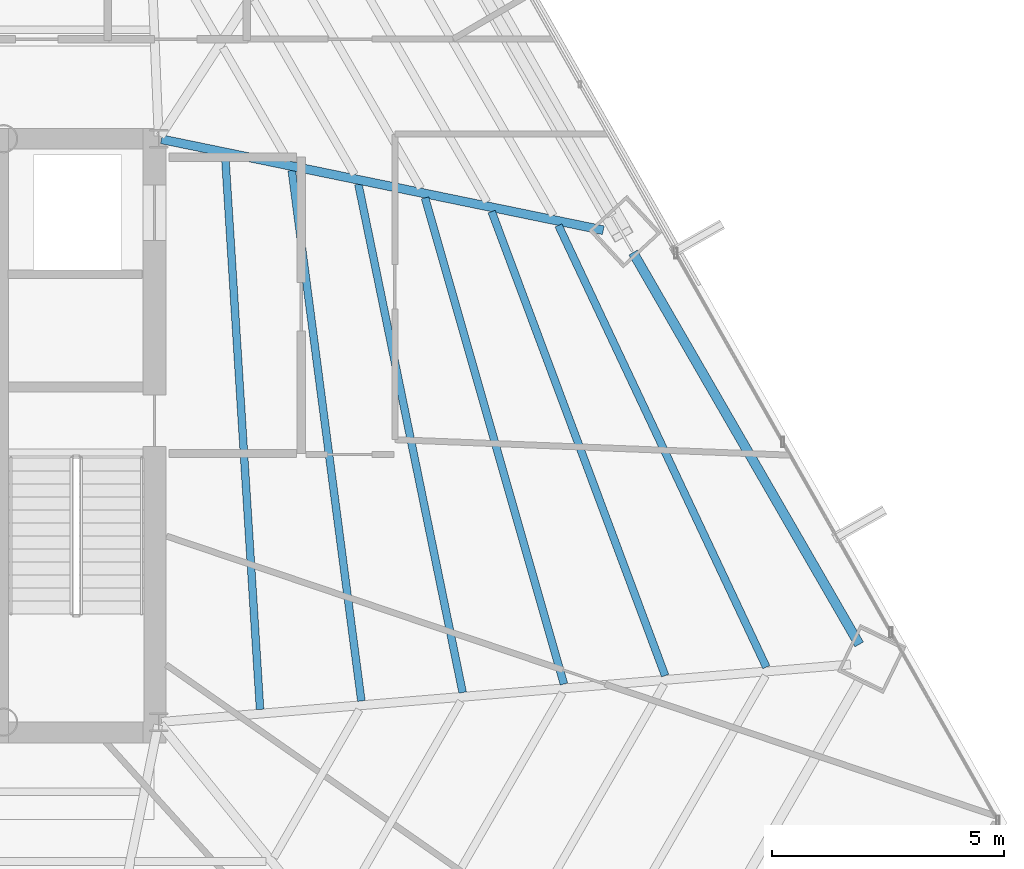
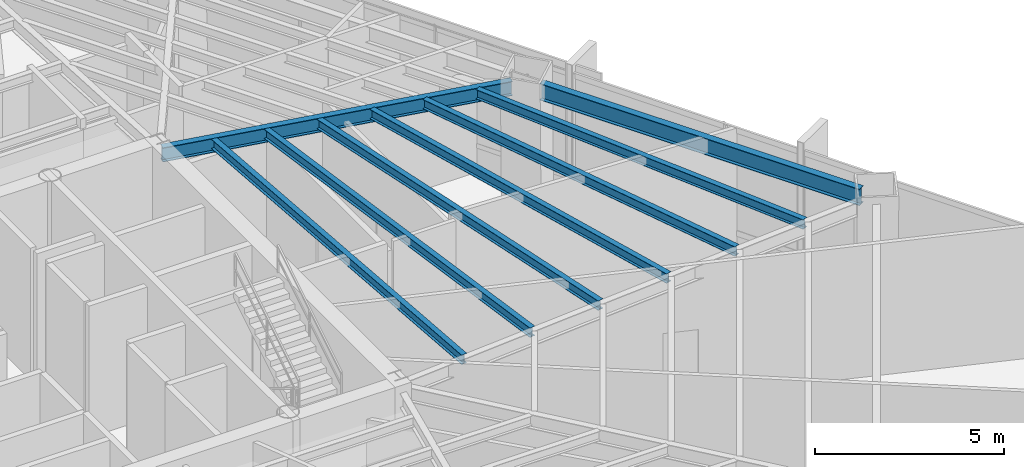
# One storey, part 19 of 37: 8 beams.
"""IFC4 building model written with IfcOpenShell, lengths in metres."""

import ifcopenshell
import ifcopenshell.guid

model = None  # the IFC model being written
_history = None  # IfcOwnerHistory: only IFC2X3 demands one
_inside = {}  # id of a spatial element -> (the spatial element, [elements in it])
_under = {}  # id of a project, library or spatial element -> (it, [spatial elements below it])
_declared = {}  # id of a project -> (the project, [libraries it declares])
_typed = {}  # id of a type object -> (the type object, [elements of that type])
_made_of = {}  # id of a material, layer set ... -> (it, [elements and type objects made of it])


def new_model(schema):
    """Start an empty IFC model of exactly this schema.

    Asked for "IFC4X3", IfcOpenShell would pick the latest addendum, in which some entities
    have other attributes; the version numbers below select the first issue.
    IFC2X3 requires an IfcOwnerHistory on every rooted entity: one is made here for all.
    """
    global model, _history
    if schema == "IFC4X3":
        model = ifcopenshell.file(schema_version=(4, 3, 0, 0))
    else:
        model = ifcopenshell.file(schema=schema)
    _inside.clear()
    _under.clear()
    _declared.clear()
    _typed.clear()
    _made_of.clear()
    _history = None
    if model.schema == "IFC2X3":
        org = make("IfcOrganization", Name="unknown")
        user = make(
            "IfcPersonAndOrganization",
            ThePerson=make("IfcPerson", FamilyName="unknown"),
            TheOrganization=org,
        )
        app = make(
            "IfcApplication",
            ApplicationDeveloper=org,
            Version="unknown",
            ApplicationFullName="unknown",
            ApplicationIdentifier="unknown",
        )
        _history = make(
            "IfcOwnerHistory",
            OwningUser=user,
            OwningApplication=app,
            ChangeAction="ADDED",
            CreationDate=0,
        )
    return model


def make(cls, **values):
    """One entity of the class cls with the attributes given. An attribute that is None is left unset."""
    return model.create_entity(
        cls, **{name: value for name, value in values.items() if value is not None}
    )


def rooted(cls, **values):
    """An entity with a GlobalId (a new one), such as an element, a storey or a relation."""
    return make(cls, GlobalId=ifcopenshell.guid.new(), OwnerHistory=_history, **values)


def si_unit(unit_type, name, prefix=None):
    """IfcSIUnit, for example si_unit("LENGTHUNIT", "METRE", prefix="MILLI")."""
    return make("IfcSIUnit", UnitType=unit_type, Prefix=prefix, Name=name)


def assignment(units):
    """IfcUnitAssignment: the units of a project."""
    return None if units is None else make("IfcUnitAssignment", Units=units)


def point(xyz):
    """IfcCartesianPoint."""
    return None if xyz is None else make("IfcCartesianPoint", Coordinates=xyz)


def direction(xyz):
    """IfcDirection."""
    return None if xyz is None else make("IfcDirection", DirectionRatios=xyz)


def frame(location, z_axis=None, x_axis=None):
    """IfcAxis2Placement3D, a coordinate frame: its origin and axes. An axis left out is left unset."""
    return make(
        "IfcAxis2Placement3D",
        Location=point(location),
        Axis=direction(z_axis),
        RefDirection=direction(x_axis),
    )


def frame_2d(location, x_axis=None):
    """IfcAxis2Placement2D, a coordinate frame in the plane: its origin and x axis."""
    return make(
        "IfcAxis2Placement2D", Location=point(location), RefDirection=direction(x_axis)
    )


def origin():
    """The frame at (0, 0, 0) with its axes left unset."""
    return frame((0.0, 0.0, 0.0))


def origin_2d():
    """The frame at (0, 0) in the plane with its x axis left unset."""
    return frame_2d((0.0, 0.0))


def place(relative_to, where):
    """IfcLocalPlacement: puts the frame where relative to a parent placement (None: the world)."""
    return make(
        "IfcLocalPlacement", PlacementRelTo=relative_to, RelativePlacement=where
    )


def context(
    kind, dimensions, precision=None, world=None, true_north=None, identifier=None
):
    """IfcGeometricRepresentationContext, for example the 3D "Model" context."""
    return make(
        "IfcGeometricRepresentationContext",
        ContextIdentifier=identifier,
        ContextType=kind,
        CoordinateSpaceDimension=dimensions,
        Precision=precision,
        WorldCoordinateSystem=world,
        TrueNorth=true_north,
    )


def subcontext(parent, identifier, kind, view, scale=None):
    """IfcGeometricRepresentationSubContext, for example "Body" below "Model"."""
    return make(
        "IfcGeometricRepresentationSubContext",
        ContextIdentifier=identifier,
        ContextType=kind,
        ParentContext=parent,
        TargetScale=scale,
        TargetView=view,
    )


def project(units=None, contexts=None):
    """IfcProject with its units and contexts."""
    return rooted(
        "IfcProject",
        Name="project",
        RepresentationContexts=contexts,
        UnitsInContext=assignment(units),
    )


def spatial(cls, under=None, at=None, **own):
    """A site, building, storey or space (cls), placed at a placement, below another one or the project."""
    s = rooted(cls, ObjectPlacement=at, **own)
    if under is not None:
        _under.setdefault(under.id(), (under, []))[1].append(s)
    return s


def profile(cls, at=None, kind="AREA", **sizes):
    """A parametric profile (cls). Its sizes go by their IFC names, for example OverallWidth=200.0."""
    return make(cls, ProfileType=kind, Position=at, **sizes)


def i_section(**sizes):
    """IfcIShapeProfileDef."""
    return profile("IfcIShapeProfileDef", **sizes)


def extrude(swept, where, along, depth):
    """IfcExtrudedAreaSolid: the profile swept, set in the frame where, extruded along a direction by depth."""
    return make(
        "IfcExtrudedAreaSolid",
        SweptArea=swept,
        Position=where,
        ExtrudedDirection=direction(along),
        Depth=depth,
    )


def shape(context_of_items, identifier, shape_type, items):
    """IfcShapeRepresentation: the items that make up one representation, for example the "Body"."""
    return make(
        "IfcShapeRepresentation",
        ContextOfItems=context_of_items,
        RepresentationIdentifier=identifier,
        RepresentationType=shape_type,
        Items=items,
    )


def source(mapping_origin, context_of_items, identifier, shape_type, items):
    """IfcRepresentationMap: a shape defined once, which mapped items show again and again."""
    return make(
        "IfcRepresentationMap",
        MappingOrigin=mapping_origin,
        MappedRepresentation=shape(context_of_items, identifier, shape_type, items),
    )


def transform(
    local_origin,
    x_axis=None,
    y_axis=None,
    z_axis=None,
    scale=None,
    scale2=None,
    scale3=None,
    uniform=True,
):
    """IfcCartesianTransformationOperator3D, or its non-uniform kind. x_axis, y_axis, z_axis: its Axis1, 2, 3."""
    if uniform:
        return make(
            "IfcCartesianTransformationOperator3D",
            Axis1=direction(x_axis),
            Axis2=direction(y_axis),
            LocalOrigin=point(local_origin),
            Scale=scale,
            Axis3=direction(z_axis),
        )
    return make(
        "IfcCartesianTransformationOperator3DnonUniform",
        Axis1=direction(x_axis),
        Axis2=direction(y_axis),
        LocalOrigin=point(local_origin),
        Scale=scale,
        Axis3=direction(z_axis),
        Scale2=scale2,
        Scale3=scale3,
    )


def mapped(mapping_source, mapping_target):
    """IfcMappedItem: shows the shape of a source again, moved by a transform."""
    return make(
        "IfcMappedItem", MappingSource=mapping_source, MappingTarget=mapping_target
    )


def material(Name=None, Category=None):
    """IfcMaterial."""
    return make("IfcMaterial", Name=Name, Category=Category)


def material_profile(
    of_material, cross_section, Name=None, Category=None, Priority=None
):
    """IfcMaterialProfile: a cross section and its material."""
    return make(
        "IfcMaterialProfile",
        Name=Name,
        Material=of_material,
        Profile=cross_section,
        Priority=Priority,
        Category=Category,
    )


def profile_set(profiles, Name=None, composite=None):
    """IfcMaterialProfileSet."""
    return make(
        "IfcMaterialProfileSet",
        Name=Name,
        MaterialProfiles=profiles,
        CompositeProfile=composite,
    )


def made_of(thing, what):
    """Note that an element or type object is made of a material, layer set ...; save() writes the relation."""
    if what is not None:
        _made_of.setdefault(what.id(), (what, []))[1].append(thing)
    return thing


def type_object(cls, material=None, **own):
    """A type object (cls), such as IfcWallType, which elements share."""
    return made_of(rooted(cls, **own), material)


def type_shapes(of_type, sources):
    """Give a type object the sources (RepresentationMaps) that its elements show as mapped items."""
    of_type.RepresentationMaps = sources


def element(
    cls,
    number,
    at=None,
    inside=None,
    cuts=None,
    type_object=None,
    material=None,
    context=None,
    identifier="Body",
    shape_type=None,
    held_by="IfcProductDefinitionShape",
    body=None,
    shapes=None,
    **own,
):
    """One element of the class cls, such as IfcWall. Its Tag is "e" and its number.

    at: its placement. inside: the storey or other place that contains it. cuts: it is an
    opening in that element (IfcRelVoidsElement). A single representation is given by context,
    identifier, shape_type and body (its items); several are given by shapes. held_by: the class
    of the entity that holds the representations. save() writes the other relations.
    """
    e = rooted(cls, Tag="e%d" % number, ObjectPlacement=at, **own)
    if body is not None:
        shapes = [shape(context, identifier, shape_type, body)]
    if shapes is not None:
        e.Representation = make(held_by, Representations=shapes)
    if inside is not None:
        _inside.setdefault(inside.id(), (inside, []))[1].append(e)
    if cuts is not None:
        rooted(
            "IfcRelVoidsElement", RelatingBuildingElement=cuts, RelatedOpeningElement=e
        )
    if type_object is not None:
        _typed.setdefault(type_object.id(), (type_object, []))[1].append(e)
    return made_of(e, material)


def aggregate(whole, parts):
    """IfcRelAggregates: a whole, such as a stair, and the parts it consists of."""
    return rooted("IfcRelAggregates", RelatingObject=whole, RelatedObjects=parts)


def save(model, path):
    """Write the relations noted so far, then the file.

    IfcRelAggregates (storeys below a building ...), IfcRelContainedInSpatialStructure (elements
    in a storey), IfcRelDefinesByType, IfcRelAssociatesMaterial and IfcRelDeclares: one each for
    every whole, place, type object, material and project.
    """
    for whole, parts in _under.values():
        aggregate(whole, parts)
    for where, things in _inside.values():
        rooted(
            "IfcRelContainedInSpatialStructure",
            RelatedElements=things,
            RelatingStructure=where,
        )
    for kind, things in _typed.values():
        rooted("IfcRelDefinesByType", RelatedObjects=things, RelatingType=kind)
    for what, things in _made_of.values():
        rooted("IfcRelAssociatesMaterial", RelatedObjects=things, RelatingMaterial=what)
    for by, libraries in _declared.values():
        rooted("IfcRelDeclares", RelatingContext=by, RelatedDefinitions=libraries)
    model.write(path)


model = new_model("IFC4")

# Units and contexts
model_context = context("Model", 3, precision=1e-05, world=origin(), true_north=direction((0.0, 1.0)))
body_context = subcontext(model_context, "Body", "Model", "MODEL_VIEW")
ifc_project = project(units=[si_unit("LENGTHUNIT", "METRE"), si_unit("AREAUNIT", "SQUARE_METRE"), si_unit("VOLUMEUNIT", "CUBIC_METRE"), si_unit("PLANEANGLEUNIT", "RADIAN"), si_unit("MASSUNIT", "GRAM", prefix="KILO")], contexts=[model_context])

# Site, building, storey
site_placement = place(None, origin())
site = spatial("IfcSite", under=ifc_project, at=site_placement, CompositionType="ELEMENT")
building_placement = place(site_placement, origin())
building = spatial("IfcBuilding", under=site, at=building_placement, Name="Caelisora Broadcast Tower", CompositionType="ELEMENT")
storey_placement = place(building_placement, frame((0.0, 0.0, 127.300048828125)))
storey = spatial("IfcBuildingStorey", under=building, at=storey_placement, Name="L33", CompositionType="ELEMENT", Elevation=127.300048828125)

# Beams
ifc_material = material(Name="Steel Grade 350 (AS/NZS 3679.1)", Category="steel")
ifc_material_profile_1 = material_profile(ifc_material, i_section(OverallWidth=0.208984375, OverallDepth=0.532958984375, WebThickness=0.01025390625, FlangeThickness=0.015625, at=origin_2d()), Name="Steel Grade 350 (AS/NZS 3679.1)")
ifc_profile_set_1 = profile_set([ifc_material_profile_1], Name="Steel Grade 350 (AS/NZS 3679.1)")
beam_type_1 = type_object("IfcBeamType", Name="PG05", PredefinedType="BEAM", material=ifc_profile_set_1)
shared_shape_1 = source(origin(), body_context, "Body", "SweptSolid", [
    extrude(i_section(OverallWidth=0.208984375, OverallDepth=0.532958984375, WebThickness=0.01025390625, FlangeThickness=0.015625, at=origin_2d()), origin(), (0.0, 0.0, 1.0), 9.7705078125),
])
type_shapes(beam_type_1, [shared_shape_1])
beam_1_placement = place(storey_placement, frame((60.628173828125, 19.0791015625, 3.9833984375), z_axis=(-0.500003642646, 0.866023300691, 0.0), x_axis=(-0.866023300691, -0.500003642646, 0.0)))
element("IfcBeam", 1, at=beam_1_placement, inside=storey, type_object=beam_type_1, Name="L33 beam PG05", PredefinedType="BEAM", context=body_context, shape_type="MappedRepresentation", body=[
    mapped(shared_shape_1, transform((0.0, 0.0, 0.0), scale=1.0)),
])
ifc_material_profile_2 = material_profile(ifc_material, i_section(OverallWidth=0.19091796875, OverallDepth=0.46044921875, WebThickness=0.010009765625, FlangeThickness=0.01611328125, at=origin_2d()), Name="Steel Grade 350 (AS/NZS 3679.1)")
ifc_profile_set_2 = profile_set([ifc_material_profile_2], Name="Steel Grade 350 (AS/NZS 3679.1)")
beam_type_2 = type_object("IfcBeamType", Name="PG06", PredefinedType="BEAM", material=ifc_profile_set_2)
shared_shape_2 = source(origin(), body_context, "Body", "SweptSolid", [
    extrude(i_section(OverallWidth=0.19091796875, OverallDepth=0.46044921875, WebThickness=0.010009765625, FlangeThickness=0.01611328125, at=origin_2d()), origin(), (0.0, 0.0, 1.0), 9.74267578125),
])
type_shapes(beam_type_2, [shared_shape_2])
beam_2_placement = place(storey_placement, frame((45.558837890625, 29.98779296875, 4.019775390625), z_axis=(0.979468541621, -0.201597063406, 0.0), x_axis=(0.201597063406, 0.979468541621, 0.0)))
element("IfcBeam", 2, at=beam_2_placement, inside=storey, type_object=beam_type_2, Name="L33 beam PG06", PredefinedType="BEAM", context=body_context, shape_type="MappedRepresentation", body=[
    mapped(shared_shape_2, transform((0.0, 0.0, 0.0), scale=1.0)),
])
ifc_material_profile_3 = material_profile(ifc_material, i_section(OverallWidth=0.166015625, OverallDepth=0.30712890625, WebThickness=0.006591796875, FlangeThickness=0.01171875, at=origin_2d()), Name="Steel Grade 350 (AS/NZS 3679.1)")
ifc_profile_set_3 = profile_set([ifc_material_profile_3], Name="Steel Grade 350 (AS/NZS 3679.1)")
beam_type_3 = type_object("IfcBeamType", Name="SB03", PredefinedType="JOIST", material=ifc_profile_set_3)
shared_shape_3 = source(origin(), body_context, "Body", "SweptSolid", [
    extrude(i_section(OverallWidth=0.166015625, OverallDepth=0.30712890625, WebThickness=0.006591796875, FlangeThickness=0.01171875, at=origin_2d()), origin(), (0.0, 0.0, 1.0), 11.9580078125),
])
beam_3_placement = place(storey_placement, frame((47.688232421875, 17.67529296875, 4.096435546875), z_axis=(-0.062882892021, 0.998020912552, 0.0), x_axis=(-0.998020912552, -0.062882892021, 0.0)))
element("IfcBeam", 3, at=beam_3_placement, inside=storey, type_object=beam_type_3, Name="L33 beam SB03", PredefinedType="JOIST", context=body_context, shape_type="MappedRepresentation", body=[
    mapped(shared_shape_3, transform((0.0, 0.0, 0.0), scale=1.0)),
])
shared_shape_4 = source(origin(), body_context, "Body", "SweptSolid", [
    extrude(i_section(OverallWidth=0.166015625, OverallDepth=0.30712890625, WebThickness=0.006591796875, FlangeThickness=0.01171875, at=origin_2d()), origin(), (0.0, 0.0, 1.0), 11.55419921875),
])
beam_4_placement = place(storey_placement, frame((49.8759765625, 17.857666015625, 4.096435546875), z_axis=(-0.130034717876, 0.99150944128, 0.0), x_axis=(-0.99150944128, -0.130034717876, 0.0)))
element("IfcBeam", 4, at=beam_4_placement, inside=storey, type_object=beam_type_3, Name="L33 beam SB03", PredefinedType="JOIST", context=body_context, shape_type="MappedRepresentation", body=[
    mapped(shared_shape_4, transform((0.0, 0.0, 0.0), scale=1.0)),
])
shared_shape_5 = source(origin(), body_context, "Body", "SweptSolid", [
    extrude(i_section(OverallWidth=0.166015625, OverallDepth=0.30712890625, WebThickness=0.006591796875, FlangeThickness=0.01171875, at=origin_2d()), origin(), (0.0, 0.0, 1.0), 11.2060546875),
])
beam_5_placement = place(storey_placement, frame((52.063232421875, 18.040283203125, 4.096435546875), z_axis=(-0.200936102672, 0.979604350053, 0.0), x_axis=(-0.979604350053, -0.200936102672, 0.0)))
element("IfcBeam", 5, at=beam_5_placement, inside=storey, type_object=beam_type_3, Name="L33 beam SB03", PredefinedType="JOIST", context=body_context, shape_type="MappedRepresentation", body=[
    mapped(shared_shape_5, transform((0.0, 0.0, 0.0), scale=1.0)),
])
shared_shape_6 = source(origin(), body_context, "Body", "SweptSolid", [
    extrude(i_section(OverallWidth=0.166015625, OverallDepth=0.30712890625, WebThickness=0.006591796875, FlangeThickness=0.01171875, at=origin_2d()), origin(), (0.0, 0.0, 1.0), 10.91943359375),
])
beam_6_placement = place(storey_placement, frame((54.250244140625, 18.222412109375, 4.096435546875), z_axis=(-0.274718174894, 0.961524791351, 0.0), x_axis=(-0.961524791351, -0.274718174894, 0.0)))
element("IfcBeam", 6, at=beam_6_placement, inside=storey, type_object=beam_type_3, Name="L33 beam SB03", PredefinedType="JOIST", context=body_context, shape_type="MappedRepresentation", body=[
    mapped(shared_shape_6, transform((0.0, 0.0, 0.0), scale=1.0)),
])
shared_shape_7 = source(origin(), body_context, "Body", "SweptSolid", [
    extrude(i_section(OverallWidth=0.166015625, OverallDepth=0.30712890625, WebThickness=0.006591796875, FlangeThickness=0.01171875, at=origin_2d()), origin(), (0.0, 0.0, 1.0), 10.697265625),
])
beam_7_placement = place(storey_placement, frame((56.436279296875, 18.40478515625, 4.096435546875), z_axis=(-0.350167834115, 0.936686974368, 0.0), x_axis=(-0.936686974368, -0.350167834115, 0.0)))
element("IfcBeam", 7, at=beam_7_placement, inside=storey, type_object=beam_type_3, Name="L33 beam SB03", PredefinedType="JOIST", context=body_context, shape_type="MappedRepresentation", body=[
    mapped(shared_shape_7, transform((0.0, 0.0, 0.0), scale=1.0)),
])
shared_shape_8 = source(origin(), body_context, "Body", "SweptSolid", [
    extrude(i_section(OverallWidth=0.166015625, OverallDepth=0.30712890625, WebThickness=0.006591796875, FlangeThickness=0.01171875, at=origin_2d()), origin(), (0.0, 0.0, 1.0), 10.544677734375),
])
type_shapes(beam_type_3, [shared_shape_3, shared_shape_4, shared_shape_5, shared_shape_6, shared_shape_7, shared_shape_8])
beam_8_placement = place(storey_placement, frame((58.6220703125, 18.587158203125, 4.096435546875), z_axis=(-0.425804841397, 0.904815029187, 0.0), x_axis=(-0.904815029187, -0.425804841397, 0.0)))
element("IfcBeam", 8, at=beam_8_placement, inside=storey, type_object=beam_type_3, Name="L33 beam SB03", PredefinedType="JOIST", context=body_context, shape_type="MappedRepresentation", body=[
    mapped(shared_shape_8, transform((0.0, 0.0, 0.0), scale=1.0)),
])

save(model, "model.ifc")
